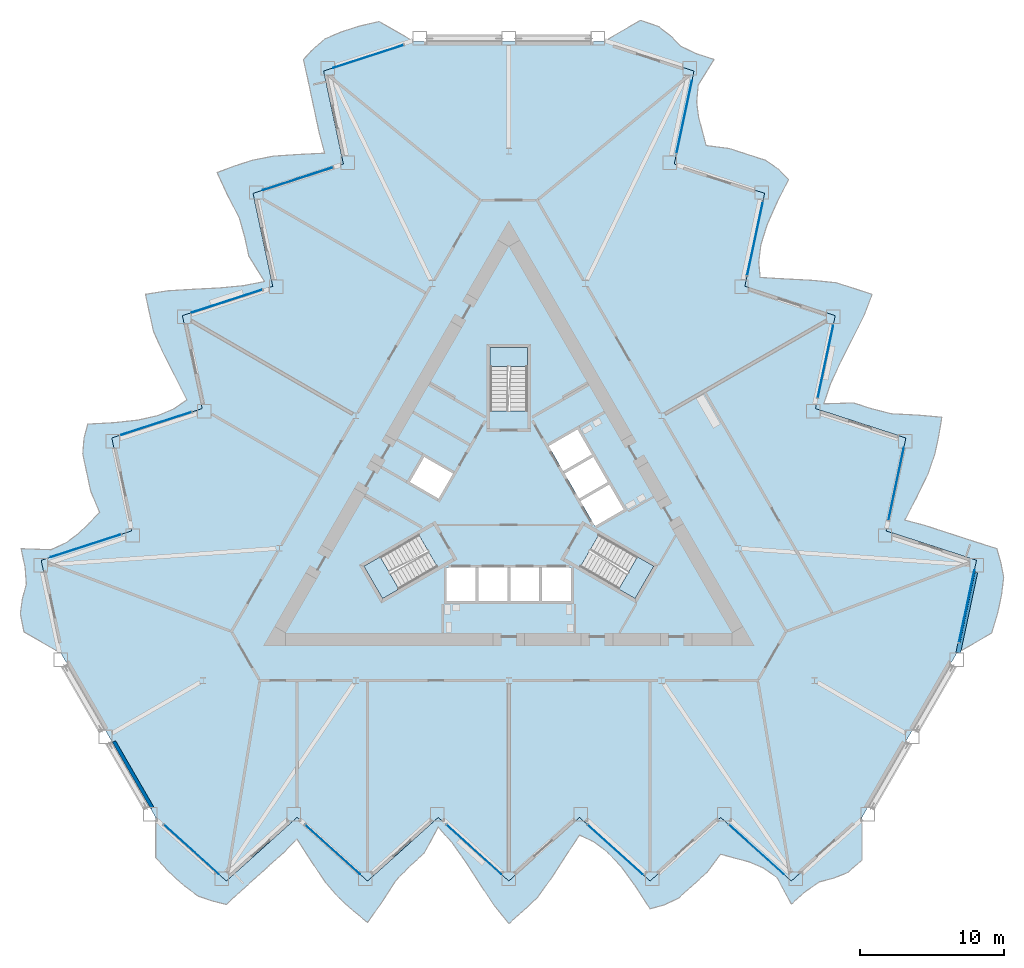
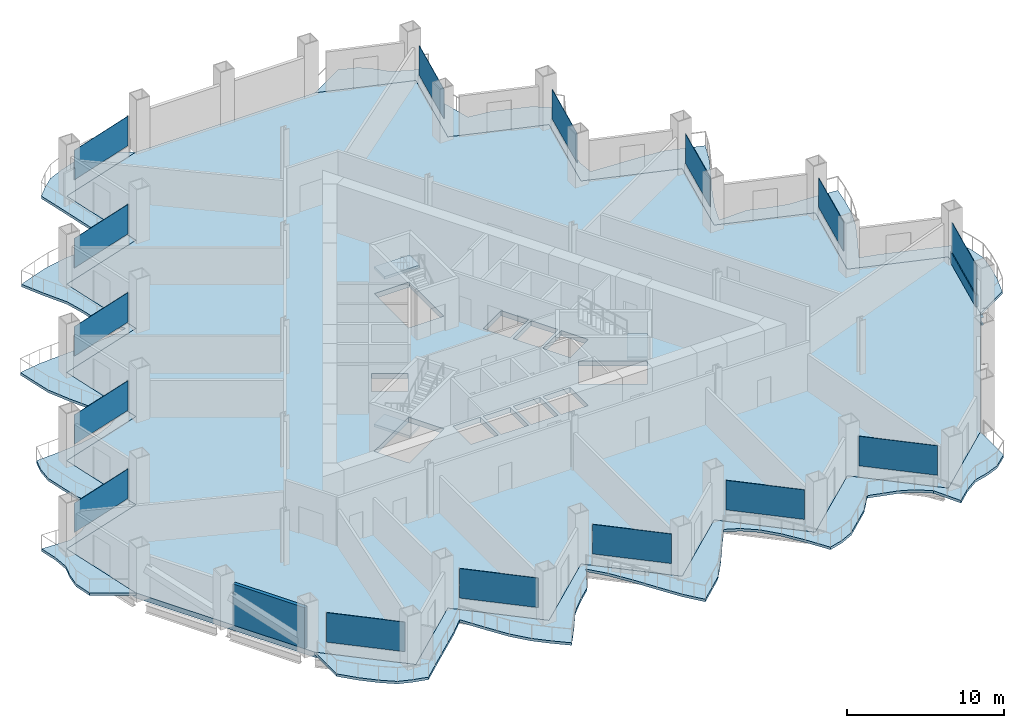
# One storey, part 8 of 20: 15 plates, 7 slabs, 1 beam, 1 member, 1 wall, 18 elements without a shape of their own.
"""IFC4 building model written with IfcOpenShell, lengths in metres."""

from ifc_helpers import new_model, si_unit, direction, frame, frame_2d, origin, origin_2d, place, context, subcontext, project, spatial, polyline, rectangle, i_section, outline, extrude, material, layer, layer_set, material_profile, profile_set, type_object, element, aggregate, save


model = new_model("IFC4")

# Units and contexts
model_context = context("Model", 3, precision=1e-05, world=origin(), true_north=direction((0.0, 1.0)))
body_context = subcontext(model_context, "Body", "Model", "MODEL_VIEW")
ifc_project = project(units=[si_unit("LENGTHUNIT", "METRE"), si_unit("AREAUNIT", "SQUARE_METRE"), si_unit("VOLUMEUNIT", "CUBIC_METRE"), si_unit("PLANEANGLEUNIT", "RADIAN"), si_unit("MASSUNIT", "GRAM", prefix="KILO")], contexts=[model_context])

# Site, building, storey
site_placement = place(None, origin())
site = spatial("IfcSite", under=ifc_project, at=site_placement, CompositionType="ELEMENT")
building_placement = place(site_placement, origin())
building = spatial("IfcBuilding", under=site, at=building_placement, Name="Cormorant Prow Tower", CompositionType="ELEMENT")
storey_placement = place(building_placement, frame((0.0, 0.0, 59.39990234375)))
storey = spatial("IfcBuildingStorey", under=building, at=storey_placement, Name="L12", CompositionType="ELEMENT", Elevation=59.39990234375)

# Curtain wall, member
ifc_material_1 = material(Name="Aluminium 6063-T6", Category="aluminium")
ifc_layer_1 = layer(ifc_material_1, 0.199951171875)
ifc_layer_set_1 = layer_set([ifc_layer_1], Name="Aluminium 6063-T6")
curtain_wall_type = type_object("IfcCurtainWallType", Name="Office unitised curtain wall 200", PredefinedType="NOTDEFINED", material=ifc_layer_set_1)
curtain_wall_1_placement = place(storey_placement, origin())
curtain_wall_1 = element("IfcCurtainWall", 1, at=curtain_wall_1_placement, inside=storey, type_object=curtain_wall_type, Name="Office curtain wall ENE00", PredefinedType="NOTDEFINED")
ifc_material_2 = material(Name="Terracotta", Category="masonry")
ifc_material_profile_1 = material_profile(ifc_material_2, rectangle(XDim=0.159912109375, YDim=0.89990234375, at=origin_2d()), Name="Office terracotta spandrel rail 160x900")
ifc_profile_set_1 = profile_set([ifc_material_profile_1], Name="Terracotta")
member_type = type_object("IfcMemberType", Name="Office terracotta spandrel rail 160x900", PredefinedType="USERDEFINED", material=ifc_profile_set_1)
member_placement = place(storey_placement, frame((31.15869140625, -9.575439453125, 0.4501953125), z_axis=(0.20787817929, 0.978154723229, 0.0), x_axis=(-0.978154723229, 0.20787817929, 0.0)))
member = element("IfcMember", 2, at=member_placement, type_object=member_type, Name="Office spandrel rail ENE00", ObjectType="TRANSOM", PredefinedType="USERDEFINED", context=body_context, shape_type="SweptSolid", body=[
    extrude(rectangle(XDim=0.159912109375, YDim=0.89990234375, at=origin_2d()), origin(), (0.0, 0.0, 1.0), 5.111083984375),
])

# Beam
ifc_material_3 = material(Name="Structural steel ASTM A992 Gr 50", Category="steel")
ifc_material_profile_2 = material_profile(ifc_material_3, i_section(OverallWidth=0.32373046875, OverallDepth=0.611083984375, WebThickness=0.0126953125, FlangeThickness=0.01904296875, at=origin_2d()), Name="W24x104")
ifc_profile_set_2 = profile_set([ifc_material_profile_2], Name="Structural steel ASTM A992 Gr 50")
beam_type = type_object("IfcBeamType", Name="Spandrel beam W24x104", PredefinedType="SPANDREL", material=ifc_profile_set_2)
beam_placement = place(storey_placement, frame((31.10400390625, -10.28466796875, -0.70556640625), z_axis=(0.207900376723, 0.97815000555, 0.0), x_axis=(-0.97815000555, 0.207900376723, 0.0)))
element("IfcBeam", 3, at=beam_placement, inside=storey, type_object=beam_type, Name="Spandrel beam SB1 ENE00-ENE01 L12", PredefinedType="SPANDREL", context=body_context, shape_type="SweptSolid", body=[
    extrude(i_section(OverallWidth=0.32373046875, OverallDepth=0.611083984375, WebThickness=0.0126953125, FlangeThickness=0.01904296875, at=origin_2d()), origin(), (0.0, 0.0, 1.0), 5.6826171875),
])

# Slabs
ifc_material_4 = material(Name="Concrete C40/50", Category="concrete")
ifc_layer_2 = layer(ifc_material_4, 0.199951171875)
ifc_layer_set_2 = layer_set([ifc_layer_2], Name="Concrete C40/50")
slab_type_1 = type_object("IfcSlabType", Name="Balcony slab 200", PredefinedType="FLOOR", material=ifc_layer_set_2)
slab_1_placement = place(storey_placement, frame((0.0, 0.0, -0.199951171875)))
element("IfcSlab", 4, at=slab_1_placement, inside=storey, type_object=slab_type_1, Name="Balcony slab S L12", PredefinedType="FLOOR", context=body_context, shape_type="SweptSolid", body=[
    extrude(outline(polyline([(-24.43896484375, -21.68603515625), (-24.43896484375, -24.4697265625), (-23.461181640625, -25.51611328125), (-22.483642578125, -26.396240234375), (-21.506103515625, -27.12890625), (-20.528564453125, -27.464111328125), (-19.551025390625, -27.7060546875), (-18.573486328125, -26.806640625), (-17.595947265625, -25.926513671875), (-16.618408203125, -25.04638671875), (-15.640869140625, -24.166015625), (-14.663330078125, -23.178466796875), (-13.685791015625, -24.6953125), (-12.708251953125, -26.152587890625), (-11.730712890625, -27.276611328125), (-10.753173828125, -28.15673828125), (-9.775634765625, -28.958984375), (-8.798095703125, -27.563720703125), (-7.8203125, -26.04931640625), (-6.8427734375, -25.04638671875), (-5.865234375, -24.166015625), (-4.8876953125, -22.34521484375), (-3.91015625, -23.4619140625), (-2.9326171875, -24.840576171875), (-1.955078125, -26.351318359375), (-0.9775390625, -27.82958984375), (0.0, -29.036865234375), (0.9775390625, -28.15673828125), (1.955078125, -27.26123046875), (2.9326171875, -25.899658203125), (3.91015625, -24.393798828125), (4.8876953125, -22.90673828125), (5.865234375, -23.357177734375), (6.8427734375, -24.09716796875), (7.8203125, -25.1630859375), (8.798095703125, -26.506591796875), (9.775634765625, -28.006591796875), (10.753173828125, -27.740966796875), (11.730712890625, -27.276611328125), (12.708251953125, -26.396240234375), (13.685791015625, -25.51611328125), (14.663330078125, -24.23193359375), (15.640869140625, -24.499267578125), (16.618408203125, -24.758056640625), (17.595947265625, -25.170166015625), (18.573486328125, -25.858154296875), (19.551025390625, -27.68701171875), (20.528564453125, -26.806640625), (21.506103515625, -26.140869140625), (22.483642578125, -25.8876953125), (23.461181640625, -25.493408203125), (24.43896484375, -24.635986328125), (24.43896484375, -21.68603515625), (23.461181640625, -22.566162109375), (22.483642578125, -23.4462890625), (21.506103515625, -24.326416015625), (20.528564453125, -25.206787109375), (19.551025390625, -26.0869140625), (18.573486328125, -25.206787109375), (17.595947265625, -24.326416015625), (16.618408203125, -23.4462890625), (15.640869140625, -22.566162109375), (14.663330078125, -21.68603515625), (13.685791015625, -22.566162109375), (12.708251953125, -23.4462890625), (11.730712890625, -24.326416015625), (10.753173828125, -25.206787109375), (9.775634765625, -26.0869140625), (8.798095703125, -25.206787109375), (7.8203125, -24.326416015625), (6.8427734375, -23.4462890625), (5.865234375, -22.566162109375), (4.8876953125, -21.68603515625), (3.91015625, -22.566162109375), (2.9326171875, -23.4462890625), (1.955078125, -24.326416015625), (0.9775390625, -25.206787109375), (0.0, -26.0869140625), (-0.9775390625, -25.206787109375), (-1.955078125, -24.326416015625), (-2.9326171875, -23.4462890625), (-3.91015625, -22.566162109375), (-4.8876953125, -21.68603515625), (-5.865234375, -22.566162109375), (-6.8427734375, -23.4462890625), (-7.8203125, -24.326416015625), (-8.798095703125, -25.206787109375), (-9.775634765625, -26.0869140625), (-10.753173828125, -25.206787109375), (-11.730712890625, -24.326416015625), (-12.708251953125, -23.4462890625), (-13.685791015625, -22.566162109375), (-14.663330078125, -21.68603515625), (-15.640869140625, -22.566162109375), (-16.618408203125, -23.4462890625), (-17.595947265625, -24.326416015625), (-18.573486328125, -25.206787109375), (-19.551025390625, -26.0869140625), (-20.528564453125, -25.206787109375), (-21.506103515625, -24.326416015625), (-22.483642578125, -23.4462890625), (-23.461181640625, -22.566162109375), (-24.43896484375, -21.68603515625)])), origin(), (0.0, 0.0, 1.0), 0.199951171875),
])
slab_2_placement = place(storey_placement, frame((0.0, 0.0, -0.199951171875)))
element("IfcSlab", 5, at=slab_2_placement, inside=storey, type_object=slab_type_1, Name="Balcony slab ENE L12", PredefinedType="FLOOR", context=body_context, shape_type="SweptSolid", body=[
    extrude(outline(polyline([(31.0, -10.32177734375), (33.410888671875, -8.9296875), (33.828369140625, -7.56005859375), (34.101806640625, -6.2734375), (34.247314453125, -5.060546875), (34.048828125, -4.04638671875), (33.769775390625, -3.07861328125), (32.501953125, -2.681884765625), (31.2509765625, -2.275390625), (30.0, -1.868896484375), (28.7490234375, -1.46240234375), (27.40478515625, -1.109619140625), (28.229736328125, 0.49560546875), (29.0029296875, 2.070556640625), (29.487548828125, 3.479248046875), (29.760986328125, 4.765869140625), (29.967041015625, 6.013671875), (28.269775390625, 6.16259765625), (26.469482421875, 6.251953125), (25.1123046875, 6.59716796875), (23.861083984375, 7.003662109375), (21.79541015625, 6.939697265625), (22.273681640625, 8.344482421875), (22.97900390625, 9.880615234375), (23.798583984375, 11.482421875), (24.58984375, 13.068115234375), (25.146728515625, 14.5185546875), (23.895751953125, 14.925048828125), (22.63134765625, 15.32373046875), (20.963623046875, 15.48974609375), (19.170654296875, 15.583251953125), (17.393798828125, 15.686279296875), (17.29541015625, 16.758056640625), (17.447265625, 17.974609375), (17.881591796875, 19.354248046875), (18.556396484375, 20.87255859375), (19.36669921875, 22.46923828125), (18.64794921875, 23.18310546875), (17.7568359375, 23.79736328125), (16.505859375, 24.203857421875), (15.254638671875, 24.6103515625), (13.65380859375, 24.814697265625), (13.396484375, 25.794921875), (13.1318359375, 26.77099609375), (13.0, 27.82373046875), (13.10693359375, 29.01416015625), (14.201904296875, 30.775146484375), (12.950927734375, 31.181640625), (11.885498046875, 31.6953125), (11.177490234375, 32.415283203125), (10.34716796875, 33.064697265625), (9.115966796875, 33.482666015625), (6.56103515625, 32.007568359375), (7.812255859375, 31.60107421875), (9.063232421875, 31.194580078125), (10.314208984375, 30.7880859375), (11.5654296875, 30.381591796875), (12.81640625, 29.97509765625), (12.54296875, 28.6884765625), (12.269287109375, 27.40185546875), (11.995849609375, 26.115234375), (11.722412109375, 24.828369140625), (11.448974609375, 23.541748046875), (12.699951171875, 23.13525390625), (13.950927734375, 22.728759765625), (15.2021484375, 22.322265625), (16.453125, 21.915771484375), (17.7041015625, 21.50927734375), (17.4306640625, 20.22265625), (17.1572265625, 18.93603515625), (16.8837890625, 17.649169921875), (16.610107421875, 16.362548828125), (16.336669921875, 15.075927734375), (17.587646484375, 14.66943359375), (18.8388671875, 14.262939453125), (20.08984375, 13.8564453125), (21.3408203125, 13.449951171875), (22.592041015625, 13.04345703125), (22.318359375, 11.7568359375), (22.044921875, 10.469970703125), (21.771484375, 9.183349609375), (21.498046875, 7.896728515625), (21.224365234375, 6.610107421875), (22.4755859375, 6.20361328125), (23.7265625, 5.797119140625), (24.9775390625, 5.390625), (26.228759765625, 4.984130859375), (27.479736328125, 4.57763671875), (27.206298828125, 3.291015625), (26.9326171875, 2.004150390625), (26.6591796875, 0.717529296875), (26.3857421875, -0.569091796875), (26.1123046875, -1.855712890625), (27.36328125, -2.26220703125), (28.6142578125, -2.668701171875), (29.865478515625, -3.0751953125), (31.116455078125, -3.481689453125), (32.367431640625, -3.88818359375), (32.093994140625, -5.175048828125), (31.820556640625, -6.461669921875), (31.546875, -7.748291015625), (31.2734375, -9.034912109375), (31.0, -10.32177734375)])), origin(), (0.0, 0.0, 1.0), 0.199951171875),
])
slab_3_placement = place(storey_placement, frame((0.0, 0.0, -0.199951171875)))
element("IfcSlab", 6, at=slab_3_placement, inside=storey, type_object=slab_type_1, Name="Balcony slab WNW L12", PredefinedType="FLOOR", context=body_context, shape_type="SweptSolid", body=[
    extrude(outline(polyline([(-6.56103515625, 32.007568359375), (-8.97216796875, 33.399658203125), (-10.366943359375, 33.076171875), (-11.617919921875, 32.669677734375), (-12.7412109375, 32.189453125), (-13.520263671875, 31.51025390625), (-14.218505859375, 30.78466796875), (-13.928466796875, 29.488525390625), (-13.655029296875, 28.201904296875), (-13.381591796875, 26.9150390625), (-13.108154296875, 25.62841796875), (-12.741455078125, 24.2880859375), (-14.5439453125, 24.199951171875), (-16.294677734375, 24.08203125), (-17.7568359375, 23.79736328125), (-19.0078125, 23.390869140625), (-20.19140625, 22.9453125), (-19.471923828125, 21.401123046875), (-18.649169921875, 19.79736328125), (-18.269287109375, 18.44921875), (-17.995849609375, 17.16259765625), (-16.907470703125, 15.405517578125), (-18.363525390625, 15.1171875), (-20.04638671875, 14.9599609375), (-21.843505859375, 14.868896484375), (-23.6123046875, 14.761474609375), (-25.146728515625, 14.5185546875), (-24.873291015625, 13.231689453125), (-24.58642578125, 11.9375), (-23.896240234375, 10.41015625), (-23.080810546875, 8.810546875), (-22.28173828125, 7.220458984375), (-23.16064453125, 6.59912109375), (-24.290283203125, 6.12255859375), (-25.7021484375, 5.808837890625), (-27.354248046875, 5.634033203125), (-29.14208984375, 5.537353515625), (-29.401123046875, 4.55810546875), (-29.487548828125, 3.479248046875), (-29.2138671875, 2.192626953125), (-28.9404296875, 0.90576171875), (-28.317138671875, -0.582763671875), (-29.037353515625, -1.2958984375), (-29.750244140625, -2.012939453125), (-30.595947265625, -2.653564453125), (-31.6806640625, -3.156005859375), (-33.753173828125, -3.08837890625), (-33.4794921875, -4.375), (-33.3916015625, -5.554443359375), (-33.661376953125, -6.527587890625), (-33.80859375, -7.571533203125), (-33.5546875, -8.8466796875), (-31.0, -10.32177734375), (-31.2734375, -9.034912109375), (-31.546875, -7.748291015625), (-31.820556640625, -6.461669921875), (-32.093994140625, -5.175048828125), (-32.367431640625, -3.88818359375), (-31.116455078125, -3.481689453125), (-29.865478515625, -3.0751953125), (-28.6142578125, -2.668701171875), (-27.36328125, -2.26220703125), (-26.1123046875, -1.855712890625), (-26.3857421875, -0.569091796875), (-26.6591796875, 0.717529296875), (-26.9326171875, 2.004150390625), (-27.206298828125, 3.291015625), (-27.479736328125, 4.57763671875), (-26.228759765625, 4.984130859375), (-24.9775390625, 5.390625), (-23.7265625, 5.797119140625), (-22.4755859375, 6.20361328125), (-21.224365234375, 6.610107421875), (-21.498046875, 7.896728515625), (-21.771484375, 9.183349609375), (-22.044921875, 10.469970703125), (-22.318359375, 11.7568359375), (-22.592041015625, 13.04345703125), (-21.3408203125, 13.449951171875), (-20.08984375, 13.8564453125), (-18.8388671875, 14.262939453125), (-17.587646484375, 14.66943359375), (-16.336669921875, 15.075927734375), (-16.610107421875, 16.362548828125), (-16.8837890625, 17.649169921875), (-17.1572265625, 18.93603515625), (-17.4306640625, 20.22265625), (-17.7041015625, 21.50927734375), (-16.453125, 21.915771484375), (-15.2021484375, 22.322265625), (-13.950927734375, 22.728759765625), (-12.699951171875, 23.13525390625), (-11.448974609375, 23.541748046875), (-11.722412109375, 24.828369140625), (-11.995849609375, 26.115234375), (-12.269287109375, 27.40185546875), (-12.54296875, 28.6884765625), (-12.81640625, 29.97509765625), (-11.5654296875, 30.381591796875), (-10.314208984375, 30.7880859375), (-9.063232421875, 31.194580078125), (-7.812255859375, 31.60107421875), (-6.56103515625, 32.007568359375)])), origin(), (0.0, 0.0, 1.0), 0.199951171875),
])

# Curtain wall, plate
curtain_wall_2_placement = place(storey_placement, origin())
curtain_wall_2 = element("IfcCurtainWall", 7, at=curtain_wall_2_placement, inside=storey, type_object=curtain_wall_type, Name="Office curtain wall S00", PredefinedType="NOTDEFINED")
ifc_material_5 = material(Name="Clear glass", Category="glass")
ifc_layer_3 = layer(ifc_material_5, 0.031982421875)
ifc_layer_set_3 = layer_set([ifc_layer_3], Name="Clear glass")
plate_type = type_object("IfcPlateType", Name="Office glass panel 32", PredefinedType="CURTAIN_PANEL", material=ifc_layer_set_3)
plate_1_placement = place(storey_placement, frame((-21.97265625, -23.906494140625, 0.89990234375), z_axis=(0.0, 0.0, 1.0), x_axis=(0.743144808544, -0.669130625166, 0.0)))
plate_1 = element("IfcPlate", 8, at=plate_1_placement, type_object=plate_type, Name="Office glass panel S00", PredefinedType="CURTAIN_PANEL", context=body_context, shape_type="SweptSolid", body=[
    extrude(rectangle(XDim=5.111083984375, YDim=0.031982421875, at=origin_2d()), origin(), (0.0, 0.0, 1.0), 2.288818359375),
])
aggregate(curtain_wall_2, [plate_1])

curtain_wall_3_placement = place(storey_placement, origin())
curtain_wall_3 = element("IfcCurtainWall", 9, at=curtain_wall_3_placement, inside=storey, type_object=curtain_wall_type, Name="Office curtain wall S02", PredefinedType="NOTDEFINED")
plate_2_placement = place(storey_placement, frame((-12.197021484375, -23.906494140625, 0.89990234375), z_axis=(0.0, 0.0, 1.0), x_axis=(0.743144808544, -0.669130625166, 0.0)))
plate_2 = element("IfcPlate", 10, at=plate_2_placement, type_object=plate_type, Name="Office glass panel S02", PredefinedType="CURTAIN_PANEL", context=body_context, shape_type="SweptSolid", body=[
    extrude(rectangle(XDim=5.111083984375, YDim=0.031982421875, at=origin_2d()), origin(), (0.0, 0.0, 1.0), 2.288818359375),
])
aggregate(curtain_wall_3, [plate_2])

curtain_wall_4_placement = place(storey_placement, origin())
curtain_wall_4 = element("IfcCurtainWall", 11, at=curtain_wall_4_placement, inside=storey, type_object=curtain_wall_type, Name="Office curtain wall S04", PredefinedType="NOTDEFINED")
plate_3_placement = place(storey_placement, frame((-2.421630859375, -23.906494140625, 0.89990234375), z_axis=(0.0, 0.0, 1.0), x_axis=(0.743144808544, -0.669130625166, 0.0)))
plate_3 = element("IfcPlate", 12, at=plate_3_placement, type_object=plate_type, Name="Office glass panel S04", PredefinedType="CURTAIN_PANEL", context=body_context, shape_type="SweptSolid", body=[
    extrude(rectangle(XDim=5.111083984375, YDim=0.031982421875, at=origin_2d()), origin(), (0.0, 0.0, 1.0), 2.288818359375),
])
aggregate(curtain_wall_4, [plate_3])

curtain_wall_5_placement = place(storey_placement, origin())
curtain_wall_5 = element("IfcCurtainWall", 13, at=curtain_wall_5_placement, inside=storey, type_object=curtain_wall_type, Name="Office curtain wall S06", PredefinedType="NOTDEFINED")
plate_4_placement = place(storey_placement, frame((7.35400390625, -23.906494140625, 0.89990234375), z_axis=(0.0, 0.0, 1.0), x_axis=(0.743144808544, -0.669130625166, 0.0)))
plate_4 = element("IfcPlate", 14, at=plate_4_placement, type_object=plate_type, Name="Office glass panel S06", PredefinedType="CURTAIN_PANEL", context=body_context, shape_type="SweptSolid", body=[
    extrude(rectangle(XDim=5.111083984375, YDim=0.031982421875, at=origin_2d()), origin(), (0.0, 0.0, 1.0), 2.288818359375),
])
aggregate(curtain_wall_5, [plate_4])

curtain_wall_6_placement = place(storey_placement, origin())
curtain_wall_6 = element("IfcCurtainWall", 15, at=curtain_wall_6_placement, inside=storey, type_object=curtain_wall_type, Name="Office curtain wall S08", PredefinedType="NOTDEFINED")
plate_5_placement = place(storey_placement, frame((17.12939453125, -23.906494140625, 0.89990234375), z_axis=(0.0, 0.0, 1.0), x_axis=(0.743144808544, -0.669130625166, 0.0)))
plate_5 = element("IfcPlate", 16, at=plate_5_placement, type_object=plate_type, Name="Office glass panel S08", PredefinedType="CURTAIN_PANEL", context=body_context, shape_type="SweptSolid", body=[
    extrude(rectangle(XDim=5.111083984375, YDim=0.031982421875, at=origin_2d()), origin(), (0.0, 0.0, 1.0), 2.288818359375),
])
aggregate(curtain_wall_6, [plate_5])

# Plate
plate_6_placement = place(storey_placement, frame((31.68994140625, -7.07568359375, 0.89990234375), z_axis=(0.0, 0.0, 1.0), x_axis=(0.207911660293, 0.978147607222, 0.0)))
plate_6 = element("IfcPlate", 17, at=plate_6_placement, type_object=plate_type, Name="Office glass panel ENE00", PredefinedType="CURTAIN_PANEL", context=body_context, shape_type="SweptSolid", body=[
    extrude(rectangle(XDim=5.111083984375, YDim=0.031982421875, at=origin_2d()), origin(), (0.0, 0.0, 1.0), 2.288818359375),
])

aggregate(curtain_wall_1, [member, plate_6])

# Curtain wall, plate
curtain_wall_7_placement = place(storey_placement, origin())
curtain_wall_7 = element("IfcCurtainWall", 18, at=curtain_wall_7_placement, inside=storey, type_object=curtain_wall_type, Name="Office curtain wall ENE02", PredefinedType="NOTDEFINED")
plate_7_placement = place(storey_placement, frame((26.80224609375, 1.39013671875, 0.89990234375), z_axis=(0.0, 0.0, 1.0), x_axis=(0.207911629376, 0.978147613794, 0.0)))
plate_7 = element("IfcPlate", 19, at=plate_7_placement, type_object=plate_type, Name="Office glass panel ENE02", PredefinedType="CURTAIN_PANEL", context=body_context, shape_type="SweptSolid", body=[
    extrude(rectangle(XDim=5.111083984375, YDim=0.031982421875, at=origin_2d()), origin(), (0.0, 0.0, 1.0), 2.288818359375),
])
aggregate(curtain_wall_7, [plate_7])

curtain_wall_8_placement = place(storey_placement, origin())
curtain_wall_8 = element("IfcCurtainWall", 20, at=curtain_wall_8_placement, inside=storey, type_object=curtain_wall_type, Name="Office curtain wall ENE04", PredefinedType="NOTDEFINED")
plate_8_placement = place(storey_placement, frame((21.914306640625, 9.856201171875, 0.89990234375), z_axis=(0.0, 0.0, 1.0), x_axis=(0.207911660293, 0.978147607222, 0.0)))
plate_8 = element("IfcPlate", 21, at=plate_8_placement, type_object=plate_type, Name="Office glass panel ENE04", PredefinedType="CURTAIN_PANEL", context=body_context, shape_type="SweptSolid", body=[
    extrude(rectangle(XDim=5.111083984375, YDim=0.031982421875, at=origin_2d()), origin(), (0.0, 0.0, 1.0), 2.288818359375),
])
aggregate(curtain_wall_8, [plate_8])

curtain_wall_9_placement = place(storey_placement, origin())
curtain_wall_9 = element("IfcCurtainWall", 22, at=curtain_wall_9_placement, inside=storey, type_object=curtain_wall_type, Name="Office curtain wall ENE06", PredefinedType="NOTDEFINED")
plate_9_placement = place(storey_placement, frame((17.026611328125, 18.322021484375, 0.89990234375), z_axis=(0.0, 0.0, 1.0), x_axis=(0.207911805763, 0.978147576301, 0.0)))
plate_9 = element("IfcPlate", 23, at=plate_9_placement, type_object=plate_type, Name="Office glass panel ENE06", PredefinedType="CURTAIN_PANEL", context=body_context, shape_type="SweptSolid", body=[
    extrude(rectangle(XDim=5.111083984375, YDim=0.031982421875, at=origin_2d()), origin(), (0.0, 0.0, 1.0), 2.288818359375),
])
aggregate(curtain_wall_9, [plate_9])

curtain_wall_10_placement = place(storey_placement, origin())
curtain_wall_10 = element("IfcCurtainWall", 24, at=curtain_wall_10_placement, inside=storey, type_object=curtain_wall_type, Name="Office curtain wall ENE08", PredefinedType="NOTDEFINED")
plate_10_placement = place(storey_placement, frame((12.138916015625, 26.787841796875, 0.89990234375), z_axis=(0.0, 0.0, 1.0), x_axis=(0.207911805763, 0.978147576301, 0.0)))
plate_10 = element("IfcPlate", 25, at=plate_10_placement, type_object=plate_type, Name="Office glass panel ENE08", PredefinedType="CURTAIN_PANEL", context=body_context, shape_type="SweptSolid", body=[
    extrude(rectangle(XDim=5.111083984375, YDim=0.031982421875, at=origin_2d()), origin(), (0.0, 0.0, 1.0), 2.288818359375),
])
aggregate(curtain_wall_10, [plate_10])

curtain_wall_11_placement = place(storey_placement, origin())
curtain_wall_11 = element("IfcCurtainWall", 26, at=curtain_wall_11_placement, inside=storey, type_object=curtain_wall_type, Name="Office curtain wall WNW00", PredefinedType="NOTDEFINED")
plate_11_placement = place(storey_placement, frame((-9.71728515625, 30.982177734375, 0.89990234375), z_axis=(0.0, 0.0, 1.0), x_axis=(-0.951056488633, -0.309017079512, 0.0)))
plate_11 = element("IfcPlate", 27, at=plate_11_placement, type_object=plate_type, Name="Office glass panel WNW00", PredefinedType="CURTAIN_PANEL", context=body_context, shape_type="SweptSolid", body=[
    extrude(rectangle(XDim=5.111083984375, YDim=0.031982421875, at=origin_2d()), origin(), (0.0, 0.0, 1.0), 2.288818359375),
])
aggregate(curtain_wall_11, [plate_11])

curtain_wall_12_placement = place(storey_placement, origin())
curtain_wall_12 = element("IfcCurtainWall", 28, at=curtain_wall_12_placement, inside=storey, type_object=curtain_wall_type, Name="Office curtain wall WNW02", PredefinedType="NOTDEFINED")
plate_12_placement = place(storey_placement, frame((-14.60498046875, 22.516357421875, 0.89990234375), z_axis=(0.0, 0.0, 1.0), x_axis=(-0.951056547836, -0.309016897304, 0.0)))
plate_12 = element("IfcPlate", 29, at=plate_12_placement, type_object=plate_type, Name="Office glass panel WNW02", PredefinedType="CURTAIN_PANEL", context=body_context, shape_type="SweptSolid", body=[
    extrude(rectangle(XDim=5.111083984375, YDim=0.031982421875, at=origin_2d()), origin(), (0.0, 0.0, 1.0), 2.288818359375),
])
aggregate(curtain_wall_12, [plate_12])

curtain_wall_13_placement = place(storey_placement, origin())
curtain_wall_13 = element("IfcCurtainWall", 30, at=curtain_wall_13_placement, inside=storey, type_object=curtain_wall_type, Name="Office curtain wall WNW04", PredefinedType="NOTDEFINED")
plate_13_placement = place(storey_placement, frame((-19.492919921875, 14.05029296875, 0.89990234375), z_axis=(0.0, 0.0, 1.0), x_axis=(-0.951056488633, -0.309017079512, 0.0)))
plate_13 = element("IfcPlate", 31, at=plate_13_placement, type_object=plate_type, Name="Office glass panel WNW04", PredefinedType="CURTAIN_PANEL", context=body_context, shape_type="SweptSolid", body=[
    extrude(rectangle(XDim=5.111083984375, YDim=0.031982421875, at=origin_2d()), origin(), (0.0, 0.0, 1.0), 2.288818359375),
])
aggregate(curtain_wall_13, [plate_13])

curtain_wall_14_placement = place(storey_placement, origin())
curtain_wall_14 = element("IfcCurtainWall", 32, at=curtain_wall_14_placement, inside=storey, type_object=curtain_wall_type, Name="Office curtain wall WNW06", PredefinedType="NOTDEFINED")
plate_14_placement = place(storey_placement, frame((-24.380615234375, 5.58447265625, 0.89990234375), z_axis=(0.0, 0.0, 1.0), x_axis=(-0.951056533317, -0.309016941988, 0.0)))
plate_14 = element("IfcPlate", 33, at=plate_14_placement, type_object=plate_type, Name="Office glass panel WNW06", PredefinedType="CURTAIN_PANEL", context=body_context, shape_type="SweptSolid", body=[
    extrude(rectangle(XDim=5.111083984375, YDim=0.031982421875, at=origin_2d()), origin(), (0.0, 0.0, 1.0), 2.288818359375),
])
aggregate(curtain_wall_14, [plate_14])

curtain_wall_15_placement = place(storey_placement, origin())
curtain_wall_15 = element("IfcCurtainWall", 34, at=curtain_wall_15_placement, inside=storey, type_object=curtain_wall_type, Name="Office curtain wall WNW08", PredefinedType="NOTDEFINED")
plate_15_placement = place(storey_placement, frame((-29.268310546875, -2.88134765625, 0.89990234375), z_axis=(0.0, 0.0, 1.0), x_axis=(-0.951056533317, -0.309016941988, 0.0)))
plate_15 = element("IfcPlate", 35, at=plate_15_placement, type_object=plate_type, Name="Office glass panel WNW08", PredefinedType="CURTAIN_PANEL", context=body_context, shape_type="SweptSolid", body=[
    extrude(rectangle(XDim=5.111083984375, YDim=0.031982421875, at=origin_2d()), origin(), (0.0, 0.0, 1.0), 2.288818359375),
])
aggregate(curtain_wall_15, [plate_15])

# Slab
ifc_material_6 = material(Name="Concrete C40/50", Category="concrete")
ifc_layer_4 = layer(ifc_material_6, 0.39990234375)
ifc_layer_set_4 = layer_set([ifc_layer_4], Name="Concrete C40/50")
slab_type_2 = type_object("IfcSlabType", Name="Post-tensioned flat slab 400", PredefinedType="FLOOR", material=ifc_layer_set_4)
slab_4_placement = place(storey_placement, frame((0.0, 0.0, -0.39990234375)))
element("IfcSlab", 36, at=slab_4_placement, inside=storey, type_object=slab_type_2, Name="Floor slab L12", PredefinedType="FLOOR", context=body_context, shape_type="SweptSolid", body=[
    extrude(outline(polyline([(-12.81640625, 29.97509765625), (-11.448974609375, 23.541748046875), (-17.7041015625, 21.50927734375), (-16.336669921875, 15.075927734375), (-22.592041015625, 13.04345703125), (-21.224365234375, 6.610107421875), (-27.479736328125, 4.57763671875), (-26.1123046875, -1.855712890625), (-32.367431640625, -3.88818359375), (-31.0, -10.32177734375), (-27.719482421875, -16.00390625), (-24.43896484375, -21.68603515625), (-19.551025390625, -26.0869140625), (-14.663330078125, -21.68603515625), (-9.775634765625, -26.0869140625), (-4.8876953125, -21.68603515625), (0.0, -26.0869140625), (4.8876953125, -21.68603515625), (9.775634765625, -26.0869140625), (14.663330078125, -21.68603515625), (19.551025390625, -26.0869140625), (24.43896484375, -21.68603515625), (27.719482421875, -16.00390625), (31.0, -10.32177734375), (32.367431640625, -3.88818359375), (26.1123046875, -1.855712890625), (27.479736328125, 4.57763671875), (21.224365234375, 6.610107421875), (22.592041015625, 13.04345703125), (16.336669921875, 15.075927734375), (17.7041015625, 21.50927734375), (11.448974609375, 23.541748046875), (12.81640625, 29.97509765625), (6.56103515625, 32.007568359375), (0.0, 32.007568359375), (-6.56103515625, 32.007568359375), (-12.81640625, 29.97509765625)]), holes=[polyline([(-4.300048828125, -6.699951171875), (-4.300048828125, -4.39990234375), (-2.300048828125, -4.39990234375), (-2.300048828125, -6.699951171875), (-4.300048828125, -6.699951171875)]), polyline([(-2.10009765625, -4.39990234375), (-0.10009765625, -4.39990234375), (-0.10009765625, -6.699951171875), (-2.10009765625, -6.699951171875), (-2.10009765625, -4.39990234375)]), polyline([(2.10009765625, -4.39990234375), (2.10009765625, -6.699951171875), (0.10009765625, -6.699951171875), (0.10009765625, -4.39990234375), (2.10009765625, -4.39990234375)]), polyline([(4.300048828125, -6.699951171875), (2.300048828125, -6.699951171875), (2.300048828125, -4.39990234375), (4.300048828125, -4.39990234375), (4.300048828125, -6.699951171875)]), polyline([(7.952392578125, -0.373779296875), (5.96044921875, -1.52392578125), (4.96044921875, 0.2080078125), (6.952392578125, 1.358154296875), (7.952392578125, -0.373779296875)]), polyline([(4.860595703125, 0.38134765625), (3.860595703125, 2.11328125), (5.852294921875, 3.263427734375), (6.852294921875, 1.53125), (4.860595703125, 0.38134765625)]), polyline([(2.760498046875, 4.018798828125), (4.75244140625, 5.168701171875), (5.75244140625, 3.4365234375), (3.760498046875, 2.28662109375), (2.760498046875, 4.018798828125)]), polyline([(-6.852294921875, 1.53125), (-5.852294921875, 3.263427734375), (-3.860595703125, 2.11328125), (-4.860595703125, 0.38134765625), (-6.852294921875, 1.53125)]), polyline([(-4.947509765625, -4.3505859375), (-8.738037109375, -6.5390625), (-10.031982421875, -4.2978515625), (-6.241455078125, -2.109375), (-4.947509765625, -4.3505859375)]), polyline([(10.031982421875, -4.2978515625), (8.738037109375, -6.5390625), (4.947509765625, -4.3505859375), (6.241455078125, -2.109375), (10.031982421875, -4.2978515625)]), polyline([(1.2939453125, 10.8369140625), (1.2939453125, 6.459716796875), (-1.2939453125, 6.459716796875), (-1.2939453125, 10.8369140625), (1.2939453125, 10.8369140625)])]), origin(), (0.0, 0.0, 1.0), 0.39990234375),
])

# Stair, slab
ifc_material_7 = material(Name="Exit stair 24 risers")
stair_type = type_object("IfcStairType", Name="Exit stair 24 risers", PredefinedType="HALF_TURN_STAIR", material=ifc_material_7)
stair_1_placement = place(storey_placement, origin())
stair_1 = element("IfcStair", 37, at=stair_1_placement, inside=storey, type_object=stair_type, Name="L12 Exit stair ST1", PredefinedType="HALF_TURN_STAIR")
ifc_material_8 = material(Name="Concrete 5000 psi", Category="concrete")
ifc_layer_5 = layer(ifc_material_8, 0.199951171875)
ifc_layer_set_5 = layer_set([ifc_layer_5], Name="Concrete 5000 psi")
slab_type_3 = type_object("IfcSlabType", Name="Stair landing 200", PredefinedType="LANDING", material=ifc_layer_set_5)
slab_5_placement = place(storey_placement, frame((0.0, 0.0, 1.900146484375)))
slab_5 = element("IfcSlab", 38, at=slab_5_placement, type_object=slab_type_3, Name="ST1 landing 1", PredefinedType="LANDING", context=body_context, shape_type="SweptSolid", body=[
    extrude(outline(polyline([(-8.90185546875, -3.645263671875), (-10.031982421875, -4.2978515625), (-8.738037109375, -6.5390625), (-7.60791015625, -5.886474609375), (-8.90185546875, -3.645263671875)])), origin(), (0.0, 0.0, 1.0), 0.199951171875),
])
aggregate(stair_1, [slab_5])

stair_2_placement = place(storey_placement, origin())
stair_2 = element("IfcStair", 39, at=stair_2_placement, inside=storey, type_object=stair_type, Name="L12 Exit stair ST2", PredefinedType="HALF_TURN_STAIR")
slab_6_placement = place(storey_placement, frame((0.0, 0.0, 1.900146484375)))
slab_6 = element("IfcSlab", 40, at=slab_6_placement, type_object=slab_type_3, Name="ST2 landing 1", PredefinedType="LANDING", context=body_context, shape_type="SweptSolid", body=[
    extrude(outline(polyline([(7.60791015625, -5.886474609375), (8.738037109375, -6.5390625), (10.031982421875, -4.2978515625), (8.90185546875, -3.645263671875), (7.60791015625, -5.886474609375)])), origin(), (0.0, 0.0, 1.0), 0.199951171875),
])
aggregate(stair_2, [slab_6])

stair_3_placement = place(storey_placement, origin())
stair_3 = element("IfcStair", 41, at=stair_3_placement, inside=storey, type_object=stair_type, Name="L12 Exit stair ST3", PredefinedType="HALF_TURN_STAIR")
slab_7_placement = place(storey_placement, frame((0.0, 0.0, 1.900146484375)))
slab_7 = element("IfcSlab", 42, at=slab_7_placement, type_object=slab_type_3, Name="ST3 landing 1", PredefinedType="LANDING", context=body_context, shape_type="SweptSolid", body=[
    extrude(outline(polyline([(1.2939453125, 9.53173828125), (1.2939453125, 10.8369140625), (-1.2939453125, 10.8369140625), (-1.2939453125, 9.53173828125), (1.2939453125, 9.53173828125)])), origin(), (0.0, 0.0, 1.0), 0.199951171875),
])
aggregate(stair_3, [slab_7])

# Wall
ifc_material_9 = material(Name="Terracotta", Category="masonry")
ifc_layer_6 = layer(ifc_material_9, 0.25)
ifc_layer_set_6 = layer_set([ifc_layer_6], Name="Terracotta")
wall_type = type_object("IfcWallType", Name="Terracotta bay wall 250", PredefinedType="SOLIDWALL", material=ifc_layer_set_6)
wall_placement = place(storey_placement, frame((-27.32861328125, -16.430908203125, 0.0), z_axis=(0.0, 0.0, 1.0), x_axis=(0.500008603535, -0.866020436474, 0.0)))
element("IfcWall", 43, at=wall_placement, inside=storey, type_object=wall_type, Name="Terracotta bay wall WSW01", PredefinedType="SOLIDWALL", context=body_context, shape_type="SweptSolid", body=[
    extrude(rectangle(XDim=5.29296875, YDim=0.25, at=frame_2d((2.646484375, 0.0))), origin(), (0.0, 0.0, 1.0), 3.18896484375),
])

save(model, "model.ifc")
